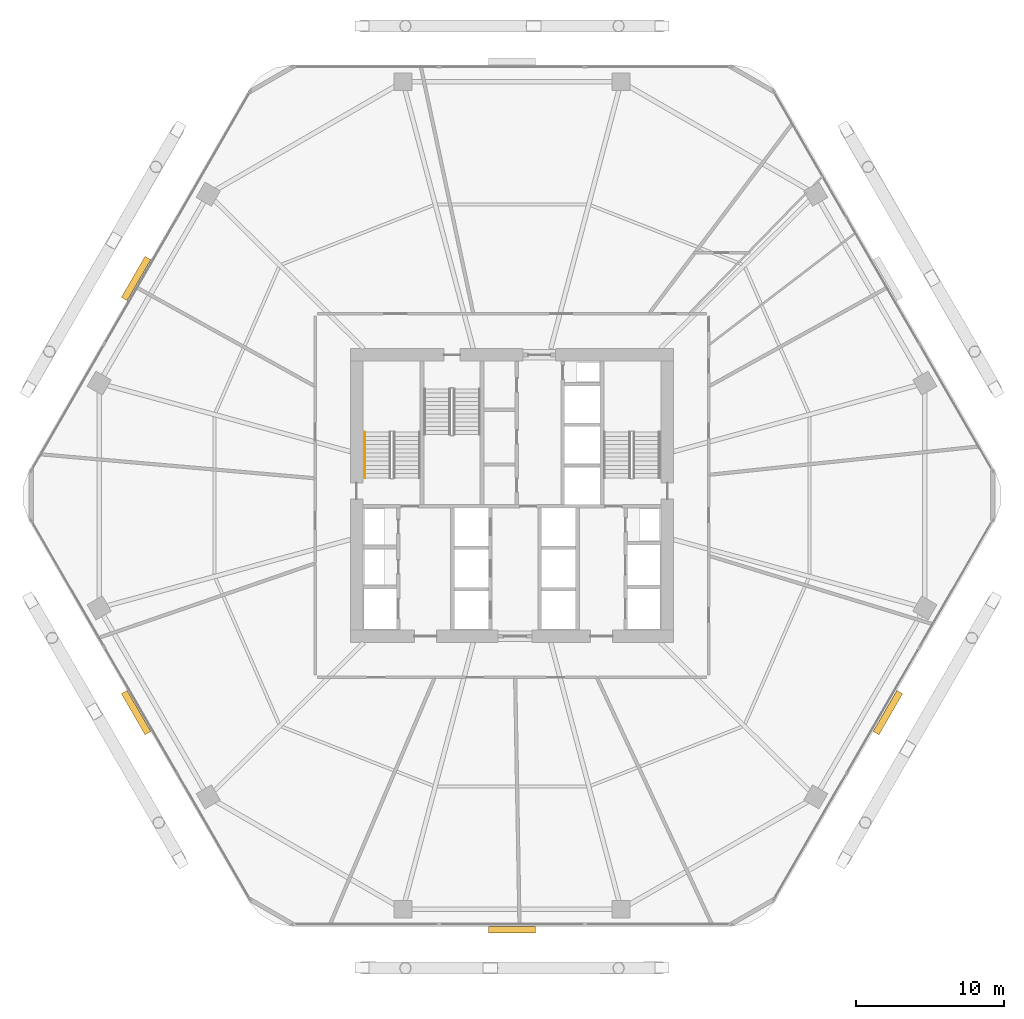
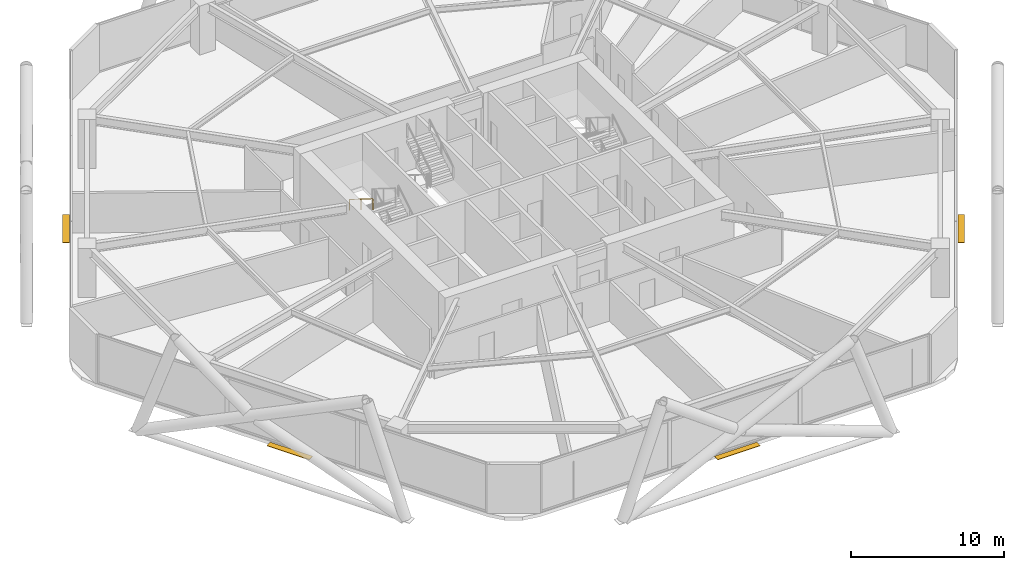
# One storey, part 28 of 30: 4 shading devices, 1 railing.
"""IFC4 building model written with IfcOpenShell, lengths in metres."""

from ifc_helpers import new_model, si_unit, direction, frame, origin, origin_2d, place, context, subcontext, project, spatial, rectangle, extrude, material, layer, layer_set, type_object, element, save


model = new_model("IFC4")

# Units and contexts
model_context = context("Model", 3, precision=1e-05, world=origin(), true_north=direction((0.0, 1.0)))
body_context = subcontext(model_context, "Body", "Model", "MODEL_VIEW")
ifc_project = project(units=[si_unit("LENGTHUNIT", "METRE"), si_unit("AREAUNIT", "SQUARE_METRE"), si_unit("VOLUMEUNIT", "CUBIC_METRE"), si_unit("PLANEANGLEUNIT", "RADIAN"), si_unit("MASSUNIT", "GRAM", prefix="KILO")], contexts=[model_context])

# Site, building, storey
site_placement = place(None, origin())
site = spatial("IfcSite", under=ifc_project, at=site_placement, CompositionType="ELEMENT")
building_placement = place(site_placement, origin())
building = spatial("IfcBuilding", under=site, at=building_placement, Name="Zuhravey Tower", CompositionType="ELEMENT")
storey_placement = place(building_placement, frame((0.0, 0.0, 58.199951171875)))
storey = spatial("IfcBuildingStorey", under=building, at=storey_placement, Name="L14", CompositionType="ELEMENT", Elevation=58.199951171875)

# Shading devices
ifc_material_1 = material(Name="Bronze-anodised extruded aluminium", Category="aluminium")
ifc_layer = layer(ifc_material_1, 0.0400390625)
ifc_layer_set = layer_set([ifc_layer], Name="Bronze-anodised extruded aluminium")
shading_device_type = type_object("IfcShadingDeviceType", Name="Horizontal Sunshade Fin", PredefinedType="JALOUSIE", material=ifc_layer_set)
for number, where, z_axis, x_axis, name in (
    (1, (61.394775390625, 17.33837890625, -0.099853515625), (0.0, 0.0, 1.0), (-0.5, -0.866025403784, 0.0), "L14 Face 6 Horizontal Sunshade Fin SUN1"),
    (2, (36.0, 2.676513671875, -0.099853515625), (0.0, 0.0, 1.0), (-1.0, 0.0, 0.0), "L14 Face 5 Horizontal Sunshade Fin SUN1"),
    (3, (10.605224609375, 17.33837890625, -0.099853515625), (0.0, 0.0, 1.0), (-0.5, 0.866025403784, 0.0), "L14 Face 4 Horizontal Sunshade Fin SUN1"),
    (4, (10.605224609375, 46.66162109375, -0.099853515625), (0.0, 0.0, 1.0), (0.5, 0.866025403784, 0.0), "L14 Face 3 Horizontal Sunshade Fin SUN1"),
):
    element("IfcShadingDevice", number, at=place(storey_placement, frame(where, z_axis=z_axis, x_axis=x_axis)), inside=storey, type_object=shading_device_type, Name=name, PredefinedType="JALOUSIE", context=body_context, shape_type="SweptSolid", body=[
        extrude(rectangle(XDim=3.199951171875, YDim=0.449951171875, at=origin_2d()), origin(), (0.0, 0.0, 1.0), 0.0400390625),
    ])

# Railing
ifc_material_2 = material(Name="Brushed stainless steel", Category="steel")
railing_type = type_object("IfcRailingType", Name="Stair Wall Handrail 900", PredefinedType="HANDRAIL", material=ifc_material_2)
railing_placement = place(storey_placement, frame((26.050048828125, 36.280029296875, 2.275146484375)))
element("IfcRailing", 5, at=railing_placement, inside=storey, type_object=railing_type, Name="L14 ST1 stair handrail 2", PredefinedType="HANDRAIL", context=body_context, shape_type="SweptSolid", body=[
    extrude(rectangle(XDim=0.048095703125, YDim=0.048095703125, at=origin_2d()), frame((0.0, -0.001708984375, 0.876953125), z_axis=(0.0, -0.848028513186, 0.529950602248), x_axis=(1.0, 0.0, 0.0)), (0.0, 0.0, 1.0), 3.6279296875),
    extrude(rectangle(XDim=0.0419921875, YDim=0.0419921875, at=origin_2d()), origin(), (0.0, 0.0, 1.0), 0.849853515625),
    extrude(rectangle(XDim=0.0419921875, YDim=0.0419921875, at=origin_2d()), frame((0.0, -1.5400390625, 0.96240234375)), (0.0, 0.0, 1.0), 0.849853515625),
    extrude(rectangle(XDim=0.0419921875, YDim=0.0419921875, at=origin_2d()), frame((0.0, -3.080078125, 1.9248046875)), (0.0, 0.0, 1.0), 0.849853515625),
])

save(model, "model.ifc")
